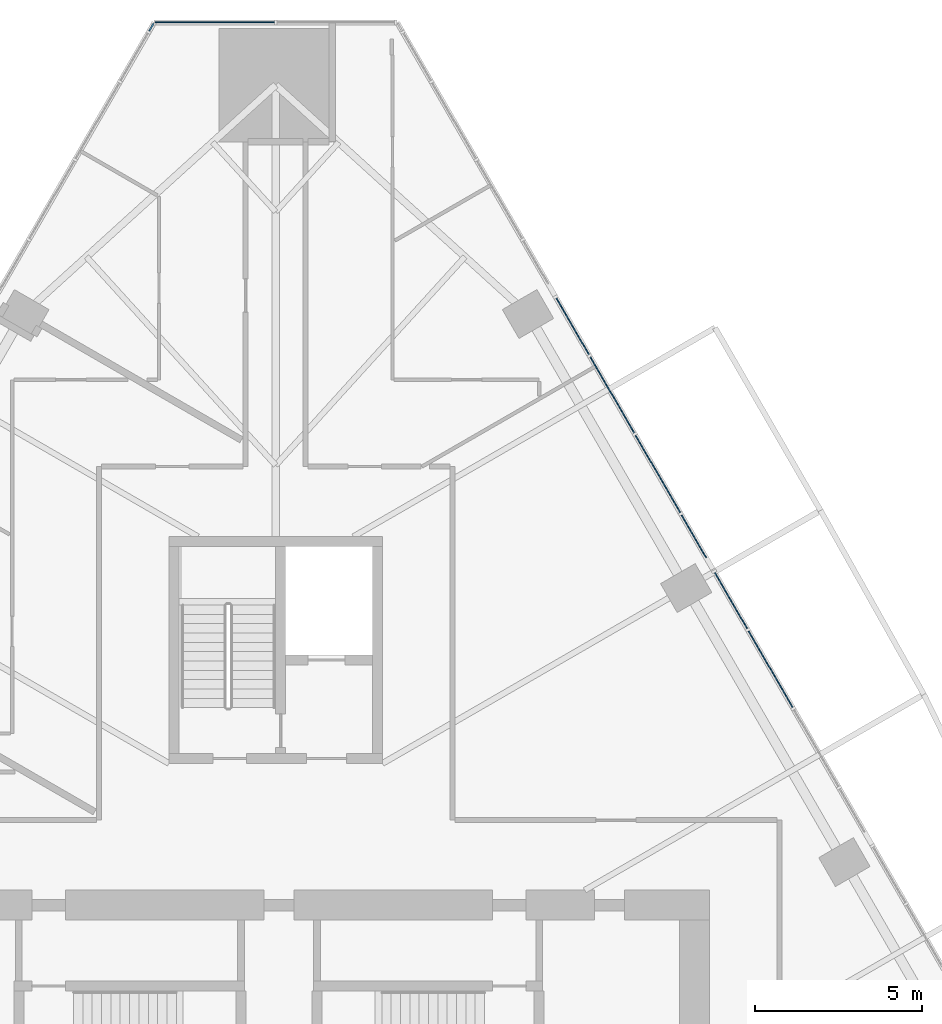
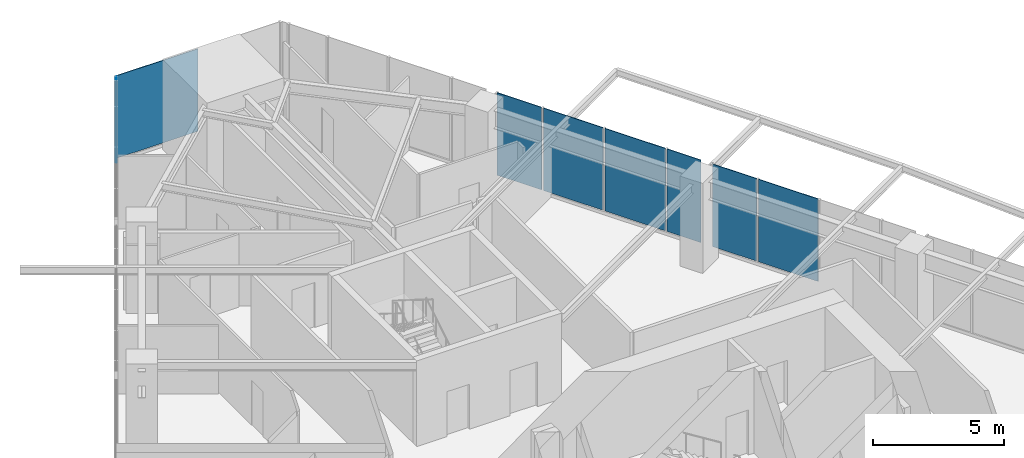
# One storey, part 17 of 26: 8 plates, 3 elements without a shape of their own.
"""IFC4 building model written with IfcOpenShell, lengths in metres."""

import ifcopenshell
import ifcopenshell.guid

model = None  # the IFC model being written
_history = None  # IfcOwnerHistory: only IFC2X3 demands one
_inside = {}  # id of a spatial element -> (the spatial element, [elements in it])
_under = {}  # id of a project, library or spatial element -> (it, [spatial elements below it])
_declared = {}  # id of a project -> (the project, [libraries it declares])
_typed = {}  # id of a type object -> (the type object, [elements of that type])
_made_of = {}  # id of a material, layer set ... -> (it, [elements and type objects made of it])


def new_model(schema):
    """Start an empty IFC model of exactly this schema.

    Asked for "IFC4X3", IfcOpenShell would pick the latest addendum, in which some entities
    have other attributes; the version numbers below select the first issue.
    IFC2X3 requires an IfcOwnerHistory on every rooted entity: one is made here for all.
    """
    global model, _history
    if schema == "IFC4X3":
        model = ifcopenshell.file(schema_version=(4, 3, 0, 0))
    else:
        model = ifcopenshell.file(schema=schema)
    _inside.clear()
    _under.clear()
    _declared.clear()
    _typed.clear()
    _made_of.clear()
    _history = None
    if model.schema == "IFC2X3":
        org = make("IfcOrganization", Name="unknown")
        user = make(
            "IfcPersonAndOrganization",
            ThePerson=make("IfcPerson", FamilyName="unknown"),
            TheOrganization=org,
        )
        app = make(
            "IfcApplication",
            ApplicationDeveloper=org,
            Version="unknown",
            ApplicationFullName="unknown",
            ApplicationIdentifier="unknown",
        )
        _history = make(
            "IfcOwnerHistory",
            OwningUser=user,
            OwningApplication=app,
            ChangeAction="ADDED",
            CreationDate=0,
        )
    return model


def make(cls, **values):
    """One entity of the class cls with the attributes given. An attribute that is None is left unset."""
    return model.create_entity(
        cls, **{name: value for name, value in values.items() if value is not None}
    )


def rooted(cls, **values):
    """An entity with a GlobalId (a new one), such as an element, a storey or a relation."""
    return make(cls, GlobalId=ifcopenshell.guid.new(), OwnerHistory=_history, **values)


def si_unit(unit_type, name, prefix=None):
    """IfcSIUnit, for example si_unit("LENGTHUNIT", "METRE", prefix="MILLI")."""
    return make("IfcSIUnit", UnitType=unit_type, Prefix=prefix, Name=name)


def assignment(units):
    """IfcUnitAssignment: the units of a project."""
    return None if units is None else make("IfcUnitAssignment", Units=units)


def point(xyz):
    """IfcCartesianPoint."""
    return None if xyz is None else make("IfcCartesianPoint", Coordinates=xyz)


def direction(xyz):
    """IfcDirection."""
    return None if xyz is None else make("IfcDirection", DirectionRatios=xyz)


def frame(location, z_axis=None, x_axis=None):
    """IfcAxis2Placement3D, a coordinate frame: its origin and axes. An axis left out is left unset."""
    return make(
        "IfcAxis2Placement3D",
        Location=point(location),
        Axis=direction(z_axis),
        RefDirection=direction(x_axis),
    )


def origin():
    """The frame at (0, 0, 0) with its axes left unset."""
    return frame((0.0, 0.0, 0.0))


def place(relative_to, where):
    """IfcLocalPlacement: puts the frame where relative to a parent placement (None: the world)."""
    return make(
        "IfcLocalPlacement", PlacementRelTo=relative_to, RelativePlacement=where
    )


def context(
    kind, dimensions, precision=None, world=None, true_north=None, identifier=None
):
    """IfcGeometricRepresentationContext, for example the 3D "Model" context."""
    return make(
        "IfcGeometricRepresentationContext",
        ContextIdentifier=identifier,
        ContextType=kind,
        CoordinateSpaceDimension=dimensions,
        Precision=precision,
        WorldCoordinateSystem=world,
        TrueNorth=true_north,
    )


def subcontext(parent, identifier, kind, view, scale=None):
    """IfcGeometricRepresentationSubContext, for example "Body" below "Model"."""
    return make(
        "IfcGeometricRepresentationSubContext",
        ContextIdentifier=identifier,
        ContextType=kind,
        ParentContext=parent,
        TargetScale=scale,
        TargetView=view,
    )


def project(units=None, contexts=None):
    """IfcProject with its units and contexts."""
    return rooted(
        "IfcProject",
        Name="project",
        RepresentationContexts=contexts,
        UnitsInContext=assignment(units),
    )


def spatial(cls, under=None, at=None, **own):
    """A site, building, storey or space (cls), placed at a placement, below another one or the project."""
    s = rooted(cls, ObjectPlacement=at, **own)
    if under is not None:
        _under.setdefault(under.id(), (under, []))[1].append(s)
    return s


def polyline(points):
    """IfcPolyline through the points."""
    return make("IfcPolyline", Points=[point(p) for p in points])


def outline(outer, holes=None, kind="AREA"):
    """IfcArbitraryClosedProfileDef: a profile drawn as a closed curve; with holes, ...WithVoids."""
    if holes is None:
        return make("IfcArbitraryClosedProfileDef", ProfileType=kind, OuterCurve=outer)
    return make(
        "IfcArbitraryProfileDefWithVoids",
        ProfileType=kind,
        OuterCurve=outer,
        InnerCurves=holes,
    )


def extrude(swept, where, along, depth):
    """IfcExtrudedAreaSolid: the profile swept, set in the frame where, extruded along a direction by depth."""
    return make(
        "IfcExtrudedAreaSolid",
        SweptArea=swept,
        Position=where,
        ExtrudedDirection=direction(along),
        Depth=depth,
    )


def shape(context_of_items, identifier, shape_type, items):
    """IfcShapeRepresentation: the items that make up one representation, for example the "Body"."""
    return make(
        "IfcShapeRepresentation",
        ContextOfItems=context_of_items,
        RepresentationIdentifier=identifier,
        RepresentationType=shape_type,
        Items=items,
    )


def material(Name=None, Category=None):
    """IfcMaterial."""
    return make("IfcMaterial", Name=Name, Category=Category)


def layer(
    of_material, thickness, ventilated=None, Name=None, Category=None, Priority=None
):
    """IfcMaterialLayer: one layer of a wall or slab, of a material (None: an air gap)."""
    return make(
        "IfcMaterialLayer",
        Material=of_material,
        LayerThickness=thickness,
        IsVentilated=ventilated,
        Name=Name,
        Category=Category,
        Priority=Priority,
    )


def layer_set(layers, Name=None):
    """IfcMaterialLayerSet."""
    return make("IfcMaterialLayerSet", MaterialLayers=layers, LayerSetName=Name)


def made_of(thing, what):
    """Note that an element or type object is made of a material, layer set ...; save() writes the relation."""
    if what is not None:
        _made_of.setdefault(what.id(), (what, []))[1].append(thing)
    return thing


def type_object(cls, material=None, **own):
    """A type object (cls), such as IfcWallType, which elements share."""
    return made_of(rooted(cls, **own), material)


def element(
    cls,
    number,
    at=None,
    inside=None,
    cuts=None,
    type_object=None,
    material=None,
    context=None,
    identifier="Body",
    shape_type=None,
    held_by="IfcProductDefinitionShape",
    body=None,
    shapes=None,
    **own,
):
    """One element of the class cls, such as IfcWall. Its Tag is "e" and its number.

    at: its placement. inside: the storey or other place that contains it. cuts: it is an
    opening in that element (IfcRelVoidsElement). A single representation is given by context,
    identifier, shape_type and body (its items); several are given by shapes. held_by: the class
    of the entity that holds the representations. save() writes the other relations.
    """
    e = rooted(cls, Tag="e%d" % number, ObjectPlacement=at, **own)
    if body is not None:
        shapes = [shape(context, identifier, shape_type, body)]
    if shapes is not None:
        e.Representation = make(held_by, Representations=shapes)
    if inside is not None:
        _inside.setdefault(inside.id(), (inside, []))[1].append(e)
    if cuts is not None:
        rooted(
            "IfcRelVoidsElement", RelatingBuildingElement=cuts, RelatedOpeningElement=e
        )
    if type_object is not None:
        _typed.setdefault(type_object.id(), (type_object, []))[1].append(e)
    return made_of(e, material)


def aggregate(whole, parts):
    """IfcRelAggregates: a whole, such as a stair, and the parts it consists of."""
    return rooted("IfcRelAggregates", RelatingObject=whole, RelatedObjects=parts)


def save(model, path):
    """Write the relations noted so far, then the file.

    IfcRelAggregates (storeys below a building ...), IfcRelContainedInSpatialStructure (elements
    in a storey), IfcRelDefinesByType, IfcRelAssociatesMaterial and IfcRelDeclares: one each for
    every whole, place, type object, material and project.
    """
    for whole, parts in _under.values():
        aggregate(whole, parts)
    for where, things in _inside.values():
        rooted(
            "IfcRelContainedInSpatialStructure",
            RelatedElements=things,
            RelatingStructure=where,
        )
    for kind, things in _typed.values():
        rooted("IfcRelDefinesByType", RelatedObjects=things, RelatingType=kind)
    for what, things in _made_of.values():
        rooted("IfcRelAssociatesMaterial", RelatedObjects=things, RelatingMaterial=what)
    for by, libraries in _declared.values():
        rooted("IfcRelDeclares", RelatingContext=by, RelatedDefinitions=libraries)
    model.write(path)


model = new_model("IFC4")

# Units and contexts
model_context = context("Model", 3, precision=1e-05, world=origin(), true_north=direction((0.0, 1.0)))
body_context = subcontext(model_context, "Body", "Model", "MODEL_VIEW")
ifc_project = project(units=[si_unit("LENGTHUNIT", "METRE"), si_unit("AREAUNIT", "SQUARE_METRE"), si_unit("VOLUMEUNIT", "CUBIC_METRE"), si_unit("PLANEANGLEUNIT", "RADIAN"), si_unit("MASSUNIT", "GRAM", prefix="KILO")], contexts=[model_context])

# Site, building, storey
site_placement = place(None, origin())
site = spatial("IfcSite", under=ifc_project, at=site_placement, CompositionType="ELEMENT")
building_placement = place(site_placement, origin())
building = spatial("IfcBuilding", under=site, at=building_placement, Name="Firuza Gate Tower and Library", CompositionType="ELEMENT")
storey_placement = place(building_placement, frame((0.0, 0.0, 77.800048828125)))
storey = spatial("IfcBuildingStorey", under=building, at=storey_placement, Name="L17", CompositionType="ELEMENT", Elevation=77.800048828125)

# Curtain wall, plate
ifc_material_1 = material(Name="Aluminium 6063-T6", Category="aluminium")
ifc_layer_1 = layer(ifc_material_1, 0.14990234375)
ifc_layer_set_1 = layer_set([ifc_layer_1], Name="Corner curtain wall, chamfers")
curtain_wall_type_1 = type_object("IfcCurtainWallType", Name="Corner curtain wall, chamfers", PredefinedType="NOTDEFINED", material=ifc_layer_set_1)
placement = place(storey_placement, origin())
curtain_wall_1 = element("IfcCurtainWall", 1, at=placement, inside=storey, type_object=curtain_wall_type_1, Name="CW4 L17 N corner", PredefinedType="NOTDEFINED")
ifc_material_2 = material(Name="Fritted glass", Category="glass")
ifc_layer_2 = layer(ifc_material_2, 0.030029296875)
ifc_layer_set_2 = layer_set([ifc_layer_2], Name="Fritted glass unit, corners")
plate_type_1 = type_object("IfcPlateType", Name="Fritted glass unit, corners", PredefinedType="CURTAIN_PANEL", material=ifc_layer_set_2)
plate_1_placement = place(storey_placement, frame((74.9599609375, 110.026611328125, 0.14990234375), z_axis=(0.0, 1.0, 0.0), x_axis=(-1.0, 0.0, 0.0)))
plate_1 = element("IfcPlate", 2, at=plate_1_placement, type_object=plate_type_1, Name="Glass unit", PredefinedType="CURTAIN_PANEL", context=body_context, shape_type="SweptSolid", body=[
    extrude(outline(polyline([(0.0, 0.0), (3.563232421875, 0.0), (3.563232421875, 3.85009765625), (0.0, 3.85009765625), (0.0, 0.0)])), origin(), (0.0, 0.0, -1.0), 0.030029296875),
])
aggregate(curtain_wall_1, [plate_1])

# Curtain wall, plates
ifc_material_3 = material(Name="Aluminium 6063-T6", Category="aluminium")
ifc_layer_3 = layer(ifc_material_3, 0.14990234375)
ifc_layer_set_3 = layer_set([ifc_layer_3], Name="Unitised curtain wall, offices")
curtain_wall_type_2 = type_object("IfcCurtainWallType", Name="Unitised curtain wall, offices", PredefinedType="NOTDEFINED", material=ifc_layer_set_3)
curtain_wall_2 = element("IfcCurtainWall", 3, at=placement, inside=storey, type_object=curtain_wall_type_2, Name="CW1 L17 E face", PredefinedType="NOTDEFINED")
ifc_material_4 = material(Name="Fritted glass", Category="glass")
ifc_layer_4 = layer(ifc_material_4, 0.030029296875)
ifc_layer_set_4 = layer_set([ifc_layer_4], Name="Fritted glass unit, offices")
plate_type_2 = type_object("IfcPlateType", Name="Fritted glass unit, offices", PredefinedType="CURTAIN_PANEL", material=ifc_layer_set_4)
plate_2_placement = place(storey_placement, frame((89.147705078125, 91.84716796875, 0.14990234375), z_axis=(0.866039152359, 0.499976186015, 0.0), x_axis=(-0.499976186015, 0.866039152359, 0.0)))
plate_2 = element("IfcPlate", 4, at=plate_2_placement, type_object=plate_type_2, Name="Glass unit", PredefinedType="CURTAIN_PANEL", context=body_context, shape_type="SweptSolid", body=[
    extrude(outline(polyline([(0.0, 0.0), (1.943451937670766, 0.0), (1.943451937670766, 3.85009765625), (0.0, 3.85009765625), (0.0, 0.0)])), origin(), (0.0, 0.0, -1.0), 0.030029296875),
])
plate_3_placement = place(storey_placement, frame((87.919677734375, 93.97412109375, 0.14990234375), z_axis=(0.8660758765, 0.499912568501, 0.0), x_axis=(-0.499912568501, 0.8660758765, 0.0)))
plate_3 = element("IfcPlate", 5, at=plate_3_placement, type_object=plate_type_2, Name="Glass unit", PredefinedType="CURTAIN_PANEL", context=body_context, shape_type="SweptSolid", body=[
    extrude(outline(polyline([(0.0, 0.0), (1.4821927744228482, 0.0), (1.4821927744228482, 3.85009765625), (0.0, 3.85009765625), (0.0, 0.0)])), origin(), (0.0, 0.0, -1.0), 0.030029296875),
])
plate_4_placement = place(storey_placement, frame((84.405029296875, 100.061767578125, 0.14990234375), z_axis=(0.866063071406, 0.49993475209, 0.0), x_axis=(-0.49993475209, 0.866063071406, 0.0)))
plate_4 = element("IfcPlate", 6, at=plate_4_placement, type_object=plate_type_2, Name="Glass unit", PredefinedType="CURTAIN_PANEL", context=body_context, shape_type="SweptSolid", body=[
    extrude(outline(polyline([(0.0, 0.0), (1.9577750127054543, 0.0), (1.9577750127054543, 3.85009765625), (0.0, 3.85009765625), (0.0, 0.0)])), origin(), (0.0, 0.0, -1.0), 0.030029296875),
])
ifc_material_5 = material(Name="Glazed ceramic tile")
ifc_layer_5 = layer(ifc_material_5, 0.030029296875)
ifc_layer_set_5 = layer_set([ifc_layer_5], Name="Opaque ceramic panel, offices")
plate_type_3 = type_object("IfcPlateType", Name="Opaque ceramic panel, offices", PredefinedType="CURTAIN_PANEL", material=ifc_layer_set_5)
plate_5_placement = place(storey_placement, frame((90.510986328125, 89.486083984375, 0.14990234375), z_axis=(0.866008903822, 0.500028577684, 0.0), x_axis=(-0.500028577684, 0.866008903822, 0.0)))
plate_5 = element("IfcPlate", 7, at=plate_5_placement, type_object=plate_type_3, Name="Opaque ceramic panel", PredefinedType="CURTAIN_PANEL", context=body_context, shape_type="SweptSolid", body=[
    extrude(outline(polyline([(0.0, 0.0), (2.64633312285796, 0.0), (2.64633312285796, 3.8500976562499996), (0.0, 3.8500976562499996), (0.0, 0.0)])), origin(), (0.0, 0.0, -1.0), 0.030029296875),
])
plate_6_placement = place(storey_placement, frame((87.138671875, 95.3271484375, 0.14990234375), z_axis=(0.866004723184, 0.50003581814, 0.0), x_axis=(-0.50003581814, 0.866004723184, 0.0)))
plate_6 = element("IfcPlate", 8, at=plate_6_placement, type_object=plate_type_3, Name="Opaque ceramic panel", PredefinedType="CURTAIN_PANEL", context=body_context, shape_type="SweptSolid", body=[
    extrude(outline(polyline([(0.0, 0.0), (2.6751013344439425, 0.0), (2.6751013344439425, 3.850097656250001), (0.0, 3.850097656250001), (0.0, 0.0)])), origin(), (0.0, 0.0, -1.0), 0.030029296875),
])
plate_7_placement = place(storey_placement, frame((85.760986328125, 97.713134765625, 0.14990234375), z_axis=(0.866031112038, 0.499990112884, 0.0), x_axis=(-0.499990112884, 0.866031112038, 0.0)))
plate_7 = element("IfcPlate", 9, at=plate_7_placement, type_object=plate_type_3, Name="Opaque ceramic panel", PredefinedType="CURTAIN_PANEL", context=body_context, shape_type="SweptSolid", body=[
    extrude(outline(polyline([(0.0, 0.0), (2.6318879810630036, 0.0), (2.6318879810630036, 3.85009765625), (0.0, 3.85009765625), (0.0, 0.0)])), origin(), (0.0, 0.0, -1.0), 0.030029296875),
])
aggregate(curtain_wall_2, [plate_5, plate_2, plate_3, plate_6, plate_7, plate_4])

# Curtain wall, plate
curtain_wall_3 = element("IfcCurtainWall", 10, at=placement, inside=storey, type_object=curtain_wall_type_2, Name="CW1 L17 W face", PredefinedType="NOTDEFINED")
plate_8_placement = place(storey_placement, frame((71.32373046875, 109.984375, 0.14990234375), z_axis=(-0.865780878536, 0.500423291185, 0.0), x_axis=(-0.500423291185, -0.865780878536, 0.0)))
plate_8 = element("IfcPlate", 11, at=plate_8_placement, type_object=plate_type_3, Name="Opaque ceramic panel", PredefinedType="CURTAIN_PANEL", context=body_context, shape_type="SweptSolid", body=[
    extrude(outline(polyline([(0.0, 0.0), (0.2512521381192305, 0.0), (0.2512521381192305, 3.85009765625), (0.0, 3.85009765625), (0.0, 0.0)])), origin(), (0.0, 0.0, -1.0), 0.030029296875),
])
aggregate(curtain_wall_3, [plate_8])

save(model, "model.ifc")
